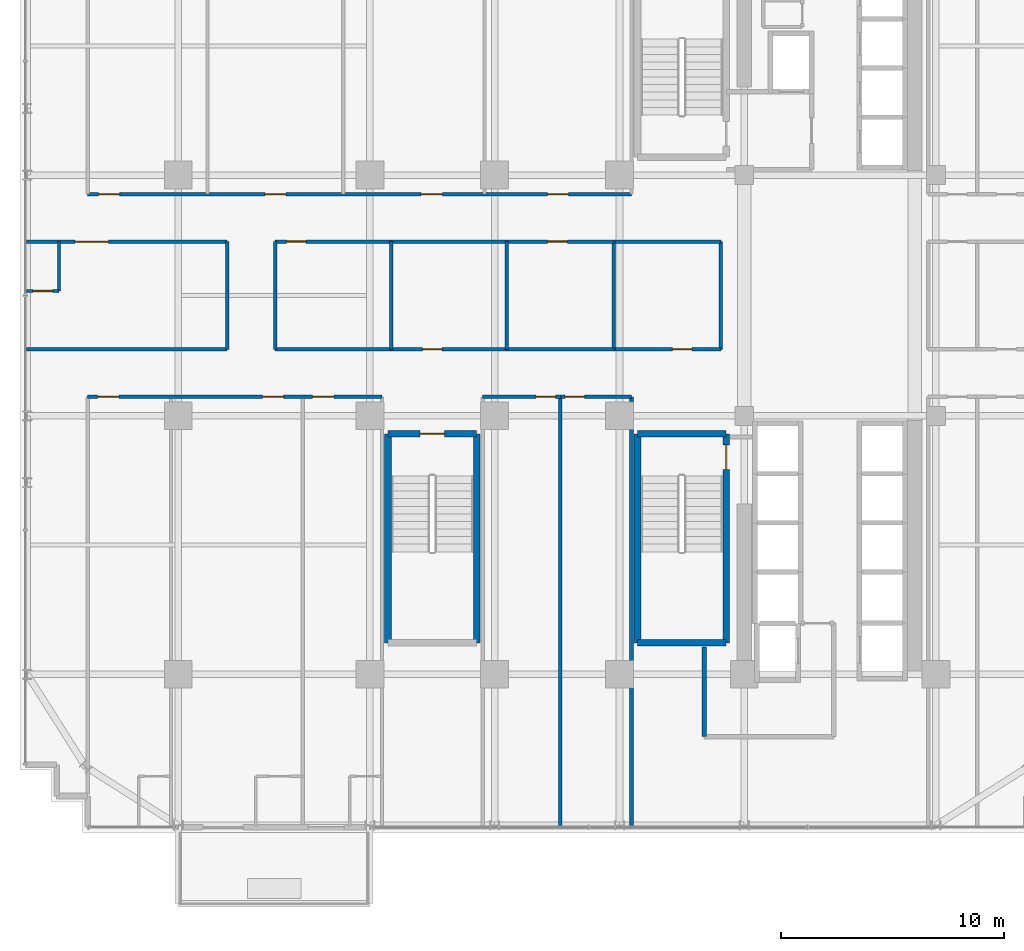
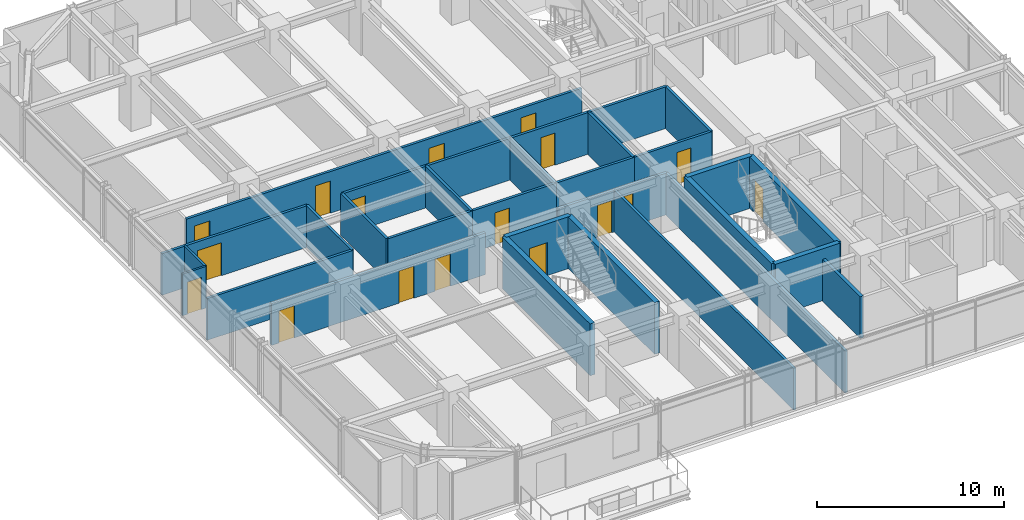
# One storey, part 27 of 33: 32 walls, 17 doors, 17 openings.
"""IFC4 building model written with IfcOpenShell, lengths in metres."""

from ifc_helpers import new_model, si_unit, direction, frame, frame_2d, origin, place, context, subcontext, project, spatial, rectangle, extrude, source, transform, mapped, material, layer, layer_set, type_object, element, fill, save


model = new_model("IFC4")

# Units and contexts
model_context = context("Model", 3, precision=1e-05, world=origin(), true_north=direction((0.0, 1.0)))
body_context = subcontext(model_context, "Body", "Model", "MODEL_VIEW")
ifc_project = project(units=[si_unit("LENGTHUNIT", "METRE"), si_unit("AREAUNIT", "SQUARE_METRE"), si_unit("VOLUMEUNIT", "CUBIC_METRE"), si_unit("PLANEANGLEUNIT", "RADIAN"), si_unit("MASSUNIT", "GRAM", prefix="KILO")], contexts=[model_context])

# Site, building, storey
site_placement = place(None, origin())
site = spatial("IfcSite", under=ifc_project, at=site_placement, CompositionType="ELEMENT")
building_placement = place(site_placement, origin())
building = spatial("IfcBuilding", under=site, at=building_placement, Name="Nahalor Promenade Grand Hotel", CompositionType="ELEMENT")
storey_placement = place(building_placement, frame((0.0, 0.0, 132.10009765625)))
storey = spatial("IfcBuildingStorey", under=building, at=storey_placement, Name="L33", CompositionType="ELEMENT", Elevation=132.10009765625)

# Walls
ifc_material_1 = material(Name="Concrete B-50 (C40/50)", Category="concrete")
ifc_layer_1 = layer(ifc_material_1, 0.300048828125)
ifc_layer_set_1 = layer_set([ifc_layer_1], Name="Concrete B-50 (C40/50)")
wall_type_1 = type_object("IfcWallType", Name="Wall-ShaftShear-300", PredefinedType="SHEAR", material=ifc_layer_set_1)
shared_shape_1 = source(origin(), body_context, "Body", "SweptSolid", [
    extrude(rectangle(XDim=3.97998046875, YDim=0.300048828125, at=frame_2d((1.989990234375, 0.0))), origin(), (0.0, 0.0, 1.0), 3.3798828125),
])
for number, where, z_axis, x_axis, name in (
    (1, (3.610107421875, -15.590087890625, 0.0), (0.0, 0.0, 1.0), (1.0, 0.0, 0.0), "L33 Exit Stair ST2 Shaft Wall S"),
    (2, (3.610107421875, -6.2099609375, 0.0), (0.0, 0.0, 1.0), (1.0, 0.0, 0.0), "L33 Exit Stair ST2 Shaft Wall N"),
):
    element("IfcWall", number, at=place(storey_placement, frame(where, z_axis=z_axis, x_axis=x_axis)), inside=storey, type_object=wall_type_1, Name=name, PredefinedType="SHEAR", context=body_context, shape_type="MappedRepresentation", body=[
        mapped(shared_shape_1, transform((0.0, 0.0, 0.0), scale=1.0)),
    ])

# Wall, opening, door
wall_1_placement = place(storey_placement, frame((-7.590087890625, -6.2099609375, 0.0), z_axis=(0.0, 0.0, 1.0), x_axis=(1.0, 0.0, 0.0)))
wall_1 = element("IfcWall", 3, at=wall_1_placement, inside=storey, type_object=wall_type_1, Name="L33 Exit Stair ST3 Shaft Wall N", PredefinedType="SHEAR", context=body_context, shape_type="MappedRepresentation", body=[
    mapped(shared_shape_1, transform((0.0, 0.0, 0.0), scale=1.0)),
])
opening_1_placement = place(wall_1_placement, frame((1.43994140625, 0.0, 0.0)))
opening_1 = element("IfcOpeningElement", 4, at=opening_1_placement, cuts=wall_1, Name="Opening D-ST1", PredefinedType="OPENING", context=body_context, shape_type="SweptSolid", body=[
    extrude(rectangle(XDim=1.10009765625, YDim=2.14990234375, at=frame_2d((0.550048828125, 1.074951171875))), frame((0.0, 0.159912109375, 0.0), z_axis=(0.0, -1.0, 0.0), x_axis=(1.0, 0.0, 0.0)), (0.0, 0.0, 1.0), 0.320068359375),
])
ifc_material_2 = material(Name="Steel S355JR", Category="steel")
door_type_1 = type_object("IfcDoorType", Name="Door-StairFire-1100", OperationType="NOTDEFINED", PredefinedType="DOOR", material=ifc_material_2)
shared_shape_2 = source(origin(), body_context, "Body", "SweptSolid", [
    extrude(rectangle(XDim=1.10009765625, YDim=2.14990234375, at=frame_2d((0.550048828125, 1.074951171875))), frame((0.0, 0.02490234375, 0.0), z_axis=(0.0, -1.0, 0.0), x_axis=(1.0, 0.0, 0.0)), (0.0, 0.0, 1.0), 0.050048828125),
])
door_1_placement = place(opening_1_placement, frame((1.10009765625, 0.0, 0.0), z_axis=(0.0, 0.0, 1.0), x_axis=(-1.0, 0.0, 0.0)))
door_1 = element("IfcDoor", 5, at=door_1_placement, inside=storey, type_object=door_type_1, Name="DR-STAIR-ST3-L33", OperationType="SINGLE_SWING_RIGHT", OverallHeight=2.14990234375, OverallWidth=1.10009765625, PredefinedType="DOOR", context=body_context, shape_type="MappedRepresentation", body=[
    mapped(shared_shape_2, transform((0.0, 0.0, 0.0), scale=1.0)),
])
fill(opening_1, door_1)

# Wall
shared_shape_3 = source(origin(), body_context, "Body", "SweptSolid", [
    extrude(rectangle(XDim=9.380126953125, YDim=0.300048828125, at=frame_2d((4.68994140625, 0.0))), origin(), (0.0, 0.0, 1.0), 3.3798828125),
])
wall_2_placement = place(storey_placement, frame((3.610107421875, -15.590087890625, 0.0), z_axis=(0.0, 0.0, 1.0), x_axis=(0.0, 1.0, 0.0)))
element("IfcWall", 6, at=wall_2_placement, inside=storey, type_object=wall_type_1, Name="L33 Exit Stair ST2 Shaft Wall W", PredefinedType="SHEAR", context=body_context, shape_type="MappedRepresentation", body=[
    mapped(shared_shape_3, transform((0.0, 0.0, 0.0), scale=1.0)),
])

# Wall, opening, door
wall_3_placement = place(storey_placement, frame((7.590087890625, -15.590087890625, 0.0), z_axis=(0.0, 0.0, 1.0), x_axis=(0.0, 1.0, 0.0)))
wall_3 = element("IfcWall", 7, at=wall_3_placement, inside=storey, type_object=wall_type_1, Name="L33 Exit Stair ST2 Shaft Wall E", PredefinedType="SHEAR", context=body_context, shape_type="MappedRepresentation", body=[
    mapped(shared_shape_3, transform((0.0, 0.0, 0.0), scale=1.0)),
])
opening_2_placement = place(wall_3_placement, frame((7.7900390625, 0.0, 0.0)))
opening_2 = element("IfcOpeningElement", 8, at=opening_2_placement, cuts=wall_3, Name="Opening D-ST1", PredefinedType="OPENING", context=body_context, shape_type="SweptSolid", body=[
    extrude(rectangle(XDim=1.10009765625, YDim=2.14990234375, at=frame_2d((0.550048828125, 1.074951171875))), frame((0.0, 0.159912109375, 0.0), z_axis=(0.0, -1.0, 0.0), x_axis=(1.0, 0.0, 0.0)), (0.0, 0.0, 1.0), 0.320068359375),
])
door_2_placement = place(opening_2_placement, origin())
door_2 = element("IfcDoor", 9, at=door_2_placement, inside=storey, type_object=door_type_1, Name="DR-STAIR-ST2-L33", OperationType="SINGLE_SWING_RIGHT", OverallHeight=2.14990234375, OverallWidth=1.10009765625, PredefinedType="DOOR", context=body_context, shape_type="MappedRepresentation", body=[
    mapped(shared_shape_2, transform((0.0, 0.0, 0.0), scale=1.0)),
])
fill(opening_2, door_2)

# Walls
for number, where, z_axis, x_axis, name in (
    (10, (-7.590087890625, -15.590087890625, 0.0), (0.0, 0.0, 1.0), (0.0, 1.0, 0.0), "L33 Exit Stair ST3 Shaft Wall W"),
    (11, (-3.610107421875, -15.590087890625, 0.0), (0.0, 0.0, 1.0), (0.0, 1.0, 0.0), "L33 Exit Stair ST3 Shaft Wall E"),
):
    element("IfcWall", number, at=place(storey_placement, frame(where, z_axis=z_axis, x_axis=x_axis)), inside=storey, type_object=wall_type_1, Name=name, PredefinedType="SHEAR", context=body_context, shape_type="MappedRepresentation", body=[
        mapped(shared_shape_3, transform((0.0, 0.0, 0.0), scale=1.0)),
    ])
ifc_material_3 = material(Name="Concrete B-40 (C32/40)", Category="concrete")
ifc_layer_2 = layer(ifc_material_3, 0.199951171875)
ifc_layer_set_2 = layer_set([ifc_layer_2], Name="Concrete B-40 (C32/40)")
wall_type_2 = type_object("IfcWallType", Name="Wall-PartFire-200", PredefinedType="PARTITIONING", material=ifc_layer_set_2)
shared_shape_4 = source(origin(), body_context, "Body", "SweptSolid", [
    extrude(rectangle(XDim=4.030029296875, YDim=0.199951171875, at=frame_2d((2.01513671875, 0.0))), origin(), (0.0, 0.0, 1.0), 2.719970703125),
])
wall_4_placement = place(storey_placement, frame((6.60009765625, -19.800048828125, 0.0), z_axis=(0.0, 0.0, 1.0), x_axis=(0.0, 1.0, 0.0)))
element("IfcWall", 12, at=wall_4_placement, inside=storey, type_object=wall_type_2, Name="W-L33-FF2-W1", PredefinedType="PARTITIONING", context=body_context, shape_type="MappedRepresentation", body=[
    mapped(shared_shape_4, transform((0.0, 0.0, 0.0), scale=1.0)),
])
ifc_material_4 = material(Name="Acoustic Mineral Gypsum", Category="gypsum")
ifc_layer_3 = layer(ifc_material_4, 0.159912109375)
ifc_layer_set_3 = layer_set([ifc_layer_3], Name="Acoustic Mineral Gypsum")
wall_type_3 = type_object("IfcWallType", Name="Wall-PartCorridor-160", PredefinedType="PARTITIONING", material=ifc_layer_set_3)
shared_shape_5 = source(origin(), body_context, "Body", "SweptSolid", [
    extrude(rectangle(XDim=19.25, YDim=0.159912109375, at=frame_2d((9.625, 0.0))), origin(), (0.0, 0.0, 1.0), 2.719970703125),
])
for number, where, z_axis, x_axis, name in (
    (13, (0.14990234375, -23.800048828125, 0.0), (0.0, 0.0, 1.0), (0.0, 1.0, 0.0), "W-L33-SCB1-E"),
    (14, (3.340087890625, -23.800048828125, 0.0), (0.0, 0.0, 1.0), (0.0, 1.0, 0.0), "W-L33-SCB2-E"),
):
    element("IfcWall", number, at=place(storey_placement, frame(where, z_axis=z_axis, x_axis=x_axis)), inside=storey, type_object=wall_type_3, Name=name, PredefinedType="PARTITIONING", context=body_context, shape_type="MappedRepresentation", body=[
        mapped(shared_shape_5, transform((0.0, 0.0, 0.0), scale=1.0)),
    ])

# Wall, openings, doors
shared_shape_6 = source(origin(), body_context, "Body", "SweptSolid", [
    extrude(rectangle(XDim=24.400146484375, YDim=0.159912109375, at=frame_2d((12.2001953125, 0.0))), origin(), (0.0, 0.0, 1.0), 2.719970703125),
])
wall_5_placement = place(storey_placement, frame((-21.06005859375, 4.550048828125, 0.0), z_axis=(0.0, 0.0, 1.0), x_axis=(1.0, 0.0, 0.0)))
wall_5 = element("IfcWall", 15, at=wall_5_placement, inside=storey, type_object=wall_type_3, Name="W-L33-CORR-N", PredefinedType="PARTITIONING", context=body_context, shape_type="MappedRepresentation", body=[
    mapped(shared_shape_6, transform((0.0, 0.0, 0.0), scale=1.0)),
])
opening_3_placement = place(wall_5_placement, frame((0.48291015625, 0.0, 0.0)))
opening_3 = element("IfcOpeningElement", 16, at=opening_3_placement, cuts=wall_5, Name="Opening D-01", PredefinedType="OPENING", context=body_context, shape_type="SweptSolid", body=[
    extrude(rectangle(XDim=0.949951171875, YDim=2.10009765625, at=frame_2d((0.47509765625, 1.050048828125))), frame((0.0, 0.08984375, 0.0), z_axis=(0.0, -1.0, 0.0), x_axis=(1.0, 0.0, 0.0)), (0.0, 0.0, 1.0), 0.179931640625),
])
opening_4_placement = place(wall_5_placement, frame((7.943115234375, 0.0, 0.0)))
opening_4 = element("IfcOpeningElement", 17, at=opening_4_placement, cuts=wall_5, Name="Opening D-01", PredefinedType="OPENING", context=body_context, shape_type="SweptSolid", body=[
    extrude(rectangle(XDim=0.949951171875, YDim=2.10009765625, at=frame_2d((0.47509765625, 1.050048828125))), frame((0.0, 0.08984375, 0.0), z_axis=(0.0, -1.0, 0.0), x_axis=(1.0, 0.0, 0.0)), (0.0, 0.0, 1.0), 0.179931640625),
])
opening_5_placement = place(wall_5_placement, frame((14.9619140625, 0.0, 0.0)))
opening_5 = element("IfcOpeningElement", 18, at=opening_5_placement, cuts=wall_5, Name="Opening D-01", PredefinedType="OPENING", context=body_context, shape_type="SweptSolid", body=[
    extrude(rectangle(XDim=0.949951171875, YDim=2.10009765625, at=frame_2d((0.47509765625, 1.050048828125))), frame((0.0, 0.08984375, 0.0), z_axis=(0.0, -1.0, 0.0), x_axis=(1.0, 0.0, 0.0)), (0.0, 0.0, 1.0), 0.179931640625),
])
opening_6_placement = place(wall_5_placement, frame((20.631103515625, 0.0, 0.0)))
opening_6 = element("IfcOpeningElement", 19, at=opening_6_placement, cuts=wall_5, Name="Opening D-01", PredefinedType="OPENING", context=body_context, shape_type="SweptSolid", body=[
    extrude(rectangle(XDim=0.949951171875, YDim=2.10009765625, at=frame_2d((0.47509765625, 1.050048828125))), frame((0.0, 0.08984375, 0.0), z_axis=(0.0, -1.0, 0.0), x_axis=(1.0, 0.0, 0.0)), (0.0, 0.0, 1.0), 0.179931640625),
])
ifc_material_5 = material(Name="Fire-Rated Timber Composite", Category="wood")
door_type_2 = type_object("IfcDoorType", Name="Door-GuestEntry-950", OperationType="NOTDEFINED", PredefinedType="DOOR", material=ifc_material_5)
shared_shape_7 = source(origin(), body_context, "Body", "SweptSolid", [
    extrude(rectangle(XDim=0.949951171875, YDim=2.10009765625, at=frame_2d((0.47509765625, 1.050048828125))), frame((0.0, 0.02490234375, 0.0), z_axis=(0.0, -1.0, 0.0), x_axis=(1.0, 0.0, 0.0)), (0.0, 0.0, 1.0), 0.050048828125),
])
door_3_placement = place(opening_3_placement, origin())
door_3 = element("IfcDoor", 20, at=door_3_placement, inside=storey, type_object=door_type_2, Name="DR-L33-N1-ENT", OperationType="SINGLE_SWING_RIGHT", OverallHeight=2.10009765625, OverallWidth=0.949951171875, PredefinedType="DOOR", context=body_context, shape_type="MappedRepresentation", body=[
    mapped(shared_shape_7, transform((0.0, 0.0, 0.0), scale=1.0)),
])
fill(opening_3, door_3)
door_4_placement = place(opening_4_placement, origin())
door_4 = element("IfcDoor", 21, at=door_4_placement, inside=storey, type_object=door_type_2, Name="DR-L33-N2-ENT", OperationType="SINGLE_SWING_RIGHT", OverallHeight=2.10009765625, OverallWidth=0.949951171875, PredefinedType="DOOR", context=body_context, shape_type="MappedRepresentation", body=[
    mapped(shared_shape_7, transform((0.0, 0.0, 0.0), scale=1.0)),
])
fill(opening_4, door_4)
door_5_placement = place(opening_5_placement, origin())
door_5 = element("IfcDoor", 22, at=door_5_placement, inside=storey, type_object=door_type_2, Name="DR-L33-N3-ENT", OperationType="SINGLE_SWING_RIGHT", OverallHeight=2.10009765625, OverallWidth=0.949951171875, PredefinedType="DOOR", context=body_context, shape_type="MappedRepresentation", body=[
    mapped(shared_shape_7, transform((0.0, 0.0, 0.0), scale=1.0)),
])
fill(opening_5, door_5)
door_6_placement = place(opening_6_placement, origin())
door_6 = element("IfcDoor", 23, at=door_6_placement, inside=storey, type_object=door_type_2, Name="DR-L33-N4-ENT", OperationType="SINGLE_SWING_RIGHT", OverallHeight=2.10009765625, OverallWidth=0.949951171875, PredefinedType="DOOR", context=body_context, shape_type="MappedRepresentation", body=[
    mapped(shared_shape_7, transform((0.0, 0.0, 0.0), scale=1.0)),
])
fill(opening_6, door_6)

# Wall
ifc_layer_4 = layer(ifc_material_4, 0.1201171875)
ifc_layer_set_4 = layer_set([ifc_layer_4], Name="Acoustic Mineral Gypsum")
wall_type_4 = type_object("IfcWallType", Name="Wall-PartBath-120", PredefinedType="PARTITIONING", material=ifc_layer_set_4)
shared_shape_8 = source(origin(), body_context, "Body", "SweptSolid", [
    extrude(rectangle(XDim=2.219970703125, YDim=0.1201171875, at=frame_2d((1.10986328125, 0.0))), origin(), (0.0, 0.0, 1.0), 2.719970703125),
])
wall_6_placement = place(storey_placement, frame((-22.35009765625, 0.199951171875, 0.0), z_axis=(0.0, 0.0, 1.0), x_axis=(0.0, 1.0, 0.0)))
element("IfcWall", 24, at=wall_6_placement, inside=storey, type_object=wall_type_4, Name="W-L33-W1-BV", PredefinedType="PARTITIONING", context=body_context, shape_type="MappedRepresentation", body=[
    mapped(shared_shape_8, transform((0.0, 0.0, 0.0), scale=1.0)),
])

# Wall, opening, door
shared_shape_9 = source(origin(), body_context, "Body", "SweptSolid", [
    extrude(rectangle(XDim=1.449951171875, YDim=0.1201171875, at=frame_2d((0.72509765625, 0.0))), origin(), (0.0, 0.0, 1.0), 2.719970703125),
])
wall_7_placement = place(storey_placement, frame((-23.800048828125, 0.199951171875, 0.0), z_axis=(0.0, 0.0, 1.0), x_axis=(1.0, 0.0, 0.0)))
wall_7 = element("IfcWall", 25, at=wall_7_placement, inside=storey, type_object=wall_type_4, Name="W-L33-W1-BH", PredefinedType="PARTITIONING", context=body_context, shape_type="MappedRepresentation", body=[
    mapped(shared_shape_9, transform((0.0, 0.0, 0.0), scale=1.0)),
])
opening_7_placement = place(wall_7_placement, frame((0.284912109375, 0.0, 0.0)))
opening_7 = element("IfcOpeningElement", 26, at=opening_7_placement, cuts=wall_7, Name="Opening D-03", PredefinedType="OPENING", context=body_context, shape_type="SweptSolid", body=[
    extrude(rectangle(XDim=0.8798828125, YDim=2.10009765625, at=frame_2d((0.43994140625, 1.050048828125))), frame((0.0, 0.070068359375, 0.0), z_axis=(0.0, -1.0, 0.0), x_axis=(1.0, 0.0, 0.0)), (0.0, 0.0, 1.0), 0.14013671875),
])
door_type_3 = type_object("IfcDoorType", Name="Door-BathSwing-880", OperationType="NOTDEFINED", PredefinedType="DOOR", material=ifc_material_5)
shared_shape_10 = source(origin(), body_context, "Body", "SweptSolid", [
    extrude(rectangle(XDim=0.8798828125, YDim=2.10009765625, at=frame_2d((0.43994140625, 1.050048828125))), frame((0.0, 0.02490234375, 0.0), z_axis=(0.0, -1.0, 0.0), x_axis=(1.0, 0.0, 0.0)), (0.0, 0.0, 1.0), 0.050048828125),
])
door_7_placement = place(opening_7_placement, origin())
door_7 = element("IfcDoor", 27, at=door_7_placement, inside=storey, type_object=door_type_3, Name="DR-L33-W1-BATH", OperationType="SINGLE_SWING_LEFT", OverallHeight=2.10009765625, OverallWidth=0.8798828125, PredefinedType="DOOR", context=body_context, shape_type="MappedRepresentation", body=[
    mapped(shared_shape_10, transform((0.0, 0.0, 0.0), scale=1.0)),
])
fill(opening_7, door_7)

# Wall, openings, doors
shared_shape_11 = source(origin(), body_context, "Body", "SweptSolid", [
    extrude(rectangle(XDim=13.199951171875, YDim=0.159912109375, at=frame_2d((6.60009765625, 0.0))), origin(), (0.0, 0.0, 1.0), 2.719970703125),
])
wall_8_placement = place(storey_placement, frame((-21.06005859375, -4.550048828125, 0.0), z_axis=(0.0, 0.0, 1.0), x_axis=(1.0, 0.0, 0.0)))
wall_8 = element("IfcWall", 28, at=wall_8_placement, inside=storey, type_object=wall_type_3, Name="W-L33-CORR-S", PredefinedType="PARTITIONING", context=body_context, shape_type="MappedRepresentation", body=[
    mapped(shared_shape_11, transform((0.0, 0.0, 0.0), scale=1.0)),
])
opening_8_placement = place(wall_8_placement, frame((0.447998046875, 0.0, 0.0)))
opening_8 = element("IfcOpeningElement", 29, at=opening_8_placement, cuts=wall_8, Name="Opening D-01", PredefinedType="OPENING", context=body_context, shape_type="SweptSolid", body=[
    extrude(rectangle(XDim=0.949951171875, YDim=2.10009765625, at=frame_2d((0.47509765625, 1.050048828125))), frame((0.0, 0.08984375, 0.0), z_axis=(0.0, -1.0, 0.0), x_axis=(1.0, 0.0, 0.0)), (0.0, 0.0, 1.0), 0.179931640625),
])
opening_9_placement = place(wall_8_placement, frame((7.843994140625, 0.0, 0.0)))
opening_9 = element("IfcOpeningElement", 30, at=opening_9_placement, cuts=wall_8, Name="Opening D-01", PredefinedType="OPENING", context=body_context, shape_type="SweptSolid", body=[
    extrude(rectangle(XDim=0.949951171875, YDim=2.10009765625, at=frame_2d((0.47509765625, 1.050048828125))), frame((0.0, 0.08984375, 0.0), z_axis=(0.0, -1.0, 0.0), x_axis=(1.0, 0.0, 0.0)), (0.0, 0.0, 1.0), 0.179931640625),
])
opening_10_placement = place(wall_8_placement, frame((10.093994140625, 0.0, 0.0)))
opening_10 = element("IfcOpeningElement", 31, at=opening_10_placement, cuts=wall_8, Name="Opening D-01", PredefinedType="OPENING", context=body_context, shape_type="SweptSolid", body=[
    extrude(rectangle(XDim=0.949951171875, YDim=2.10009765625, at=frame_2d((0.47509765625, 1.050048828125))), frame((0.0, 0.08984375, 0.0), z_axis=(0.0, -1.0, 0.0), x_axis=(1.0, 0.0, 0.0)), (0.0, 0.0, 1.0), 0.179931640625),
])
door_8_placement = place(opening_8_placement, frame((0.949951171875, 0.0, 0.0), z_axis=(0.0, 0.0, 1.0), x_axis=(-1.0, 0.0, 0.0)))
door_8 = element("IfcDoor", 32, at=door_8_placement, inside=storey, type_object=door_type_2, Name="DR-L33-S1-ENT", OperationType="SINGLE_SWING_RIGHT", OverallHeight=2.10009765625, OverallWidth=0.949951171875, PredefinedType="DOOR", context=body_context, shape_type="MappedRepresentation", body=[
    mapped(shared_shape_7, transform((0.0, 0.0, 0.0), scale=1.0)),
])
fill(opening_8, door_8)
door_9_placement = place(opening_9_placement, frame((0.949951171875, 0.0, 0.0), z_axis=(0.0, 0.0, 1.0), x_axis=(-1.0, 0.0, 0.0)))
door_9 = element("IfcDoor", 33, at=door_9_placement, inside=storey, type_object=door_type_2, Name="DR-L33-S2-ENT", OperationType="SINGLE_SWING_RIGHT", OverallHeight=2.10009765625, OverallWidth=0.949951171875, PredefinedType="DOOR", context=body_context, shape_type="MappedRepresentation", body=[
    mapped(shared_shape_7, transform((0.0, 0.0, 0.0), scale=1.0)),
])
fill(opening_9, door_9)
door_10_placement = place(opening_10_placement, frame((0.949951171875, 0.0, 0.0), z_axis=(0.0, 0.0, 1.0), x_axis=(-1.0, 0.0, 0.0)))
door_10 = element("IfcDoor", 34, at=door_10_placement, inside=storey, type_object=door_type_2, Name="DR-L33-S3-ENT", OperationType="SINGLE_SWING_RIGHT", OverallHeight=2.10009765625, OverallWidth=0.949951171875, PredefinedType="DOOR", context=body_context, shape_type="MappedRepresentation", body=[
    mapped(shared_shape_7, transform((0.0, 0.0, 0.0), scale=1.0)),
])
fill(opening_10, door_10)

# Wall, opening, door
shared_shape_12 = source(origin(), body_context, "Body", "SweptSolid", [
    extrude(rectangle(XDim=9.0, YDim=0.159912109375, at=frame_2d((4.5, 0.0))), origin(), (0.0, 0.0, 1.0), 2.719970703125),
])
wall_9_placement = place(storey_placement, frame((-23.800048828125, 2.419921875, 0.0), z_axis=(0.0, 0.0, 1.0), x_axis=(1.0, 0.0, 0.0)))
wall_9 = element("IfcWall", 35, at=wall_9_placement, inside=storey, type_object=wall_type_3, Name="W-L33-WEST-N", PredefinedType="PARTITIONING", context=body_context, shape_type="MappedRepresentation", body=[
    mapped(shared_shape_12, transform((0.0, 0.0, 0.0), scale=1.0)),
])
opening_11_placement = place(wall_9_placement, frame((2.176025390625, 0.0, 0.0)))
opening_11 = element("IfcOpeningElement", 36, at=opening_11_placement, cuts=wall_9, Name="Opening D-02", PredefinedType="OPENING", context=body_context, shape_type="SweptSolid", body=[
    extrude(rectangle(XDim=1.5, YDim=2.14990234375, at=frame_2d((0.75, 1.074951171875))), frame((0.0, 0.08984375, 0.0), z_axis=(0.0, -1.0, 0.0), x_axis=(1.0, 0.0, 0.0)), (0.0, 0.0, 1.0), 0.179931640625),
])
door_type_4 = type_object("IfcDoorType", Name="Door-SuiteDouble-1500", OperationType="DOUBLE_DOOR_SINGLE_SWING", PredefinedType="DOOR", material=ifc_material_5)
shared_shape_13 = source(origin(), body_context, "Body", "SweptSolid", [
    extrude(rectangle(XDim=1.5, YDim=2.14990234375, at=frame_2d((0.75, 1.074951171875))), frame((0.0, 0.02490234375, 0.0), z_axis=(0.0, -1.0, 0.0), x_axis=(1.0, 0.0, 0.0)), (0.0, 0.0, 1.0), 0.050048828125),
])
door_11_placement = place(opening_11_placement, origin())
door_11 = element("IfcDoor", 37, at=door_11_placement, inside=storey, type_object=door_type_4, Name="DR-L33-W1-ENT", OperationType="DOUBLE_DOOR_SINGLE_SWING", OverallHeight=2.14990234375, OverallWidth=1.5, PredefinedType="DOOR", context=body_context, shape_type="MappedRepresentation", body=[
    mapped(shared_shape_13, transform((0.0, 0.0, 0.0), scale=1.0)),
])
fill(opening_11, door_11)

# Walls
wall_10_placement = place(storey_placement, frame((-23.800048828125, -2.419921875, 0.0), z_axis=(0.0, 0.0, 1.0), x_axis=(1.0, 0.0, 0.0)))
element("IfcWall", 38, at=wall_10_placement, inside=storey, type_object=wall_type_3, Name="W-L33-WEST-S", PredefinedType="PARTITIONING", context=body_context, shape_type="MappedRepresentation", body=[
    mapped(shared_shape_12, transform((0.0, 0.0, 0.0), scale=1.0)),
])
shared_shape_14 = source(origin(), body_context, "Body", "SweptSolid", [
    extrude(rectangle(XDim=4.83984375, YDim=0.159912109375, at=frame_2d((2.419921875, 0.0))), origin(), (0.0, 0.0, 1.0), 2.719970703125),
])
for number, where, z_axis, x_axis, name in (
    (39, (-14.800048828125, -2.419921875, 0.0), (0.0, 0.0, 1.0), (0.0, 1.0, 0.0), "W-L33-WEST-E"),
    (40, (-12.64990234375, -2.419921875, 0.0), (0.0, 0.0, 1.0), (0.0, 1.0, 0.0), "W-L33-CM1-W"),
    (41, (-7.449951171875, -2.419921875, 0.0), (0.0, 0.0, 1.0), (0.0, 1.0, 0.0), "W-L33-CM1-E"),
    (42, (-2.25, -2.419921875, 0.0), (0.0, 0.0, 1.0), (0.0, 1.0, 0.0), "W-L33-CM2-E"),
    (43, (2.550048828125, -2.419921875, 0.0), (0.0, 0.0, 1.0), (0.0, 1.0, 0.0), "W-L33-CM3-E"),
    (44, (7.35009765625, -2.419921875, 0.0), (0.0, 0.0, 1.0), (0.0, 1.0, 0.0), "W-L33-CM4-E"),
):
    element("IfcWall", number, at=place(storey_placement, frame(where, z_axis=z_axis, x_axis=x_axis)), inside=storey, type_object=wall_type_3, Name=name, PredefinedType="PARTITIONING", context=body_context, shape_type="MappedRepresentation", body=[
        mapped(shared_shape_14, transform((0.0, 0.0, 0.0), scale=1.0)),
    ])

# Wall, opening, door
shared_shape_15 = source(origin(), body_context, "Body", "SweptSolid", [
    extrude(rectangle(XDim=3.489990234375, YDim=0.159912109375, at=frame_2d((1.7451171875, 0.0))), origin(), (0.0, 0.0, 1.0), 2.719970703125),
])
wall_11_placement = place(storey_placement, frame((-3.340087890625, -4.550048828125, 0.0), z_axis=(0.0, 0.0, 1.0), x_axis=(1.0, 0.0, 0.0)))
wall_11 = element("IfcWall", 45, at=wall_11_placement, inside=storey, type_object=wall_type_3, Name="W-L33-SCB1-N", PredefinedType="PARTITIONING", context=body_context, shape_type="MappedRepresentation", body=[
    mapped(shared_shape_15, transform((0.0, 0.0, 0.0), scale=1.0)),
])
opening_12_placement = place(wall_11_placement, frame((2.39990234375, 0.0, 0.0)))
opening_12 = element("IfcOpeningElement", 46, at=opening_12_placement, cuts=wall_11, Name="Opening D-03", PredefinedType="OPENING", context=body_context, shape_type="SweptSolid", body=[
    extrude(rectangle(XDim=0.8798828125, YDim=2.10009765625, at=frame_2d((0.43994140625, 1.050048828125))), frame((0.0, 0.08984375, 0.0), z_axis=(0.0, -1.0, 0.0), x_axis=(1.0, 0.0, 0.0)), (0.0, 0.0, 1.0), 0.179931640625),
])
door_12_placement = place(opening_12_placement, frame((0.8798828125, 0.0, 0.0), z_axis=(0.0, 0.0, 1.0), x_axis=(-1.0, 0.0, 0.0)))
door_12 = element("IfcDoor", 47, at=door_12_placement, inside=storey, type_object=door_type_3, Name="DR-L33-SCB1", OperationType="SINGLE_SWING_LEFT", OverallHeight=2.10009765625, OverallWidth=0.8798828125, PredefinedType="DOOR", context=body_context, shape_type="MappedRepresentation", body=[
    mapped(shared_shape_10, transform((0.0, 0.0, 0.0), scale=1.0)),
])
fill(opening_12, door_12)

shared_shape_16 = source(origin(), body_context, "Body", "SweptSolid", [
    extrude(rectangle(XDim=3.190185546875, YDim=0.159912109375, at=frame_2d((1.59521484375, 0.0))), origin(), (0.0, 0.0, 1.0), 2.719970703125),
])
wall_12_placement = place(storey_placement, frame((0.14990234375, -4.550048828125, 0.0), z_axis=(0.0, 0.0, 1.0), x_axis=(1.0, 0.0, 0.0)))
wall_12 = element("IfcWall", 48, at=wall_12_placement, inside=storey, type_object=wall_type_3, Name="W-L33-SCB2-N", PredefinedType="PARTITIONING", context=body_context, shape_type="MappedRepresentation", body=[
    mapped(shared_shape_16, transform((0.0, 0.0, 0.0), scale=1.0)),
])
opening_13_placement = place(wall_12_placement, frame((0.2099609375, 0.0, 0.0)))
opening_13 = element("IfcOpeningElement", 49, at=opening_13_placement, cuts=wall_12, Name="Opening D-03", PredefinedType="OPENING", context=body_context, shape_type="SweptSolid", body=[
    extrude(rectangle(XDim=0.8798828125, YDim=2.10009765625, at=frame_2d((0.43994140625, 1.050048828125))), frame((0.0, 0.08984375, 0.0), z_axis=(0.0, -1.0, 0.0), x_axis=(1.0, 0.0, 0.0)), (0.0, 0.0, 1.0), 0.179931640625),
])
door_13_placement = place(opening_13_placement, frame((0.8798828125, 0.0, 0.0), z_axis=(0.0, 0.0, 1.0), x_axis=(-1.0, 0.0, 0.0)))
door_13 = element("IfcDoor", 50, at=door_13_placement, inside=storey, type_object=door_type_3, Name="DR-L33-SCB2", OperationType="SINGLE_SWING_RIGHT", OverallHeight=2.10009765625, OverallWidth=0.8798828125, PredefinedType="DOOR", context=body_context, shape_type="MappedRepresentation", body=[
    mapped(shared_shape_10, transform((0.0, 0.0, 0.0), scale=1.0)),
])
fill(opening_13, door_13)

# Wall
shared_shape_17 = source(origin(), body_context, "Body", "SweptSolid", [
    extrude(rectangle(XDim=5.199951171875, YDim=0.159912109375, at=frame_2d((2.60009765625, 0.0))), origin(), (0.0, 0.0, 1.0), 2.719970703125),
])
wall_13_placement = place(storey_placement, frame((-12.64990234375, -2.419921875, 0.0), z_axis=(0.0, 0.0, 1.0), x_axis=(1.0, 0.0, 0.0)))
element("IfcWall", 51, at=wall_13_placement, inside=storey, type_object=wall_type_3, Name="W-L33-CM1-S", PredefinedType="PARTITIONING", context=body_context, shape_type="MappedRepresentation", body=[
    mapped(shared_shape_17, transform((0.0, 0.0, 0.0), scale=1.0)),
])

# Wall, opening, door
wall_14_placement = place(storey_placement, frame((-12.64990234375, 2.419921875, 0.0), z_axis=(0.0, 0.0, 1.0), x_axis=(1.0, 0.0, 0.0)))
wall_14 = element("IfcWall", 52, at=wall_14_placement, inside=storey, type_object=wall_type_3, Name="W-L33-CM1-N", PredefinedType="PARTITIONING", context=body_context, shape_type="MappedRepresentation", body=[
    mapped(shared_shape_17, transform((0.0, 0.0, 0.0), scale=1.0)),
])
opening_14_placement = place(wall_14_placement, frame((0.514892578125, 0.0, 0.0)))
opening_14 = element("IfcOpeningElement", 53, at=opening_14_placement, cuts=wall_14, Name="Opening D-03", PredefinedType="OPENING", context=body_context, shape_type="SweptSolid", body=[
    extrude(rectangle(XDim=0.8798828125, YDim=2.10009765625, at=frame_2d((0.43994140625, 1.050048828125))), frame((0.0, 0.08984375, 0.0), z_axis=(0.0, -1.0, 0.0), x_axis=(1.0, 0.0, 0.0)), (0.0, 0.0, 1.0), 0.179931640625),
])
door_14_placement = place(opening_14_placement, frame((0.8798828125, 0.0, 0.0), z_axis=(0.0, 0.0, 1.0), x_axis=(-1.0, 0.0, 0.0)))
door_14 = element("IfcDoor", 54, at=door_14_placement, inside=storey, type_object=door_type_3, Name="DR-L33-CM1", OperationType="SINGLE_SWING_RIGHT", OverallHeight=2.10009765625, OverallWidth=0.8798828125, PredefinedType="DOOR", context=body_context, shape_type="MappedRepresentation", body=[
    mapped(shared_shape_10, transform((0.0, 0.0, 0.0), scale=1.0)),
])
fill(opening_14, door_14)

wall_15_placement = place(storey_placement, frame((-7.449951171875, -2.419921875, 0.0), z_axis=(0.0, 0.0, 1.0), x_axis=(1.0, 0.0, 0.0)))
wall_15 = element("IfcWall", 55, at=wall_15_placement, inside=storey, type_object=wall_type_3, Name="W-L33-CM2-S", PredefinedType="PARTITIONING", context=body_context, shape_type="MappedRepresentation", body=[
    mapped(shared_shape_17, transform((0.0, 0.0, 0.0), scale=1.0)),
])
opening_15_placement = place(wall_15_placement, frame((1.412109375, 0.0, 0.0)))
opening_15 = element("IfcOpeningElement", 56, at=opening_15_placement, cuts=wall_15, Name="Opening D-03", PredefinedType="OPENING", context=body_context, shape_type="SweptSolid", body=[
    extrude(rectangle(XDim=0.8798828125, YDim=2.10009765625, at=frame_2d((0.43994140625, 1.050048828125))), frame((0.0, 0.08984375, 0.0), z_axis=(0.0, -1.0, 0.0), x_axis=(1.0, 0.0, 0.0)), (0.0, 0.0, 1.0), 0.179931640625),
])
door_15_placement = place(opening_15_placement, origin())
door_15 = element("IfcDoor", 57, at=door_15_placement, inside=storey, type_object=door_type_3, Name="DR-L33-CM2", OperationType="SINGLE_SWING_LEFT", OverallHeight=2.10009765625, OverallWidth=0.8798828125, PredefinedType="DOOR", context=body_context, shape_type="MappedRepresentation", body=[
    mapped(shared_shape_10, transform((0.0, 0.0, 0.0), scale=1.0)),
])
fill(opening_15, door_15)

# Walls
wall_16_placement = place(storey_placement, frame((-7.449951171875, 2.419921875, 0.0), z_axis=(0.0, 0.0, 1.0), x_axis=(1.0, 0.0, 0.0)))
element("IfcWall", 58, at=wall_16_placement, inside=storey, type_object=wall_type_3, Name="W-L33-CM2-N", PredefinedType="PARTITIONING", context=body_context, shape_type="MappedRepresentation", body=[
    mapped(shared_shape_17, transform((0.0, 0.0, 0.0), scale=1.0)),
])
shared_shape_18 = source(origin(), body_context, "Body", "SweptSolid", [
    extrude(rectangle(XDim=4.800048828125, YDim=0.159912109375, at=frame_2d((2.39990234375, 0.0))), origin(), (0.0, 0.0, 1.0), 2.719970703125),
])
wall_17_placement = place(storey_placement, frame((-2.25, -2.419921875, 0.0), z_axis=(0.0, 0.0, 1.0), x_axis=(1.0, 0.0, 0.0)))
element("IfcWall", 59, at=wall_17_placement, inside=storey, type_object=wall_type_3, Name="W-L33-CM3-S", PredefinedType="PARTITIONING", context=body_context, shape_type="MappedRepresentation", body=[
    mapped(shared_shape_18, transform((0.0, 0.0, 0.0), scale=1.0)),
])

# Wall, opening, door
wall_18_placement = place(storey_placement, frame((-2.25, 2.419921875, 0.0), z_axis=(0.0, 0.0, 1.0), x_axis=(1.0, 0.0, 0.0)))
wall_18 = element("IfcWall", 60, at=wall_18_placement, inside=storey, type_object=wall_type_3, Name="W-L33-CM3-N", PredefinedType="PARTITIONING", context=body_context, shape_type="MappedRepresentation", body=[
    mapped(shared_shape_18, transform((0.0, 0.0, 0.0), scale=1.0)),
])
opening_16_placement = place(wall_18_placement, frame((1.827880859375, 0.0, 0.0)))
opening_16 = element("IfcOpeningElement", 61, at=opening_16_placement, cuts=wall_18, Name="Opening D-03", PredefinedType="OPENING", context=body_context, shape_type="SweptSolid", body=[
    extrude(rectangle(XDim=0.8798828125, YDim=2.10009765625, at=frame_2d((0.43994140625, 1.050048828125))), frame((0.0, 0.08984375, 0.0), z_axis=(0.0, -1.0, 0.0), x_axis=(1.0, 0.0, 0.0)), (0.0, 0.0, 1.0), 0.179931640625),
])
door_16_placement = place(opening_16_placement, frame((0.8798828125, 0.0, 0.0), z_axis=(0.0, 0.0, 1.0), x_axis=(-1.0, 0.0, 0.0)))
door_16 = element("IfcDoor", 62, at=door_16_placement, inside=storey, type_object=door_type_3, Name="DR-L33-CM3", OperationType="SINGLE_SWING_RIGHT", OverallHeight=2.10009765625, OverallWidth=0.8798828125, PredefinedType="DOOR", context=body_context, shape_type="MappedRepresentation", body=[
    mapped(shared_shape_10, transform((0.0, 0.0, 0.0), scale=1.0)),
])
fill(opening_16, door_16)

wall_19_placement = place(storey_placement, frame((2.550048828125, -2.419921875, 0.0), z_axis=(0.0, 0.0, 1.0), x_axis=(1.0, 0.0, 0.0)))
wall_19 = element("IfcWall", 63, at=wall_19_placement, inside=storey, type_object=wall_type_3, Name="W-L33-CM4-S", PredefinedType="PARTITIONING", context=body_context, shape_type="MappedRepresentation", body=[
    mapped(shared_shape_18, transform((0.0, 0.0, 0.0), scale=1.0)),
])
opening_17_placement = place(wall_19_placement, frame((2.62109375, 0.0, 0.0)))
opening_17 = element("IfcOpeningElement", 64, at=opening_17_placement, cuts=wall_19, Name="Opening D-03", PredefinedType="OPENING", context=body_context, shape_type="SweptSolid", body=[
    extrude(rectangle(XDim=0.8798828125, YDim=2.10009765625, at=frame_2d((0.43994140625, 1.050048828125))), frame((0.0, 0.08984375, 0.0), z_axis=(0.0, -1.0, 0.0), x_axis=(1.0, 0.0, 0.0)), (0.0, 0.0, 1.0), 0.179931640625),
])
door_17_placement = place(opening_17_placement, origin())
door_17 = element("IfcDoor", 65, at=door_17_placement, inside=storey, type_object=door_type_3, Name="DR-L33-CM4", OperationType="SINGLE_SWING_LEFT", OverallHeight=2.10009765625, OverallWidth=0.8798828125, PredefinedType="DOOR", context=body_context, shape_type="MappedRepresentation", body=[
    mapped(shared_shape_10, transform((0.0, 0.0, 0.0), scale=1.0)),
])
fill(opening_17, door_17)

# Wall
wall_20_placement = place(storey_placement, frame((2.550048828125, 2.419921875, 0.0), z_axis=(0.0, 0.0, 1.0), x_axis=(1.0, 0.0, 0.0)))
element("IfcWall", 66, at=wall_20_placement, inside=storey, type_object=wall_type_3, Name="W-L33-CM4-N", PredefinedType="PARTITIONING", context=body_context, shape_type="MappedRepresentation", body=[
    mapped(shared_shape_18, transform((0.0, 0.0, 0.0), scale=1.0)),
])

save(model, "model.ifc")
